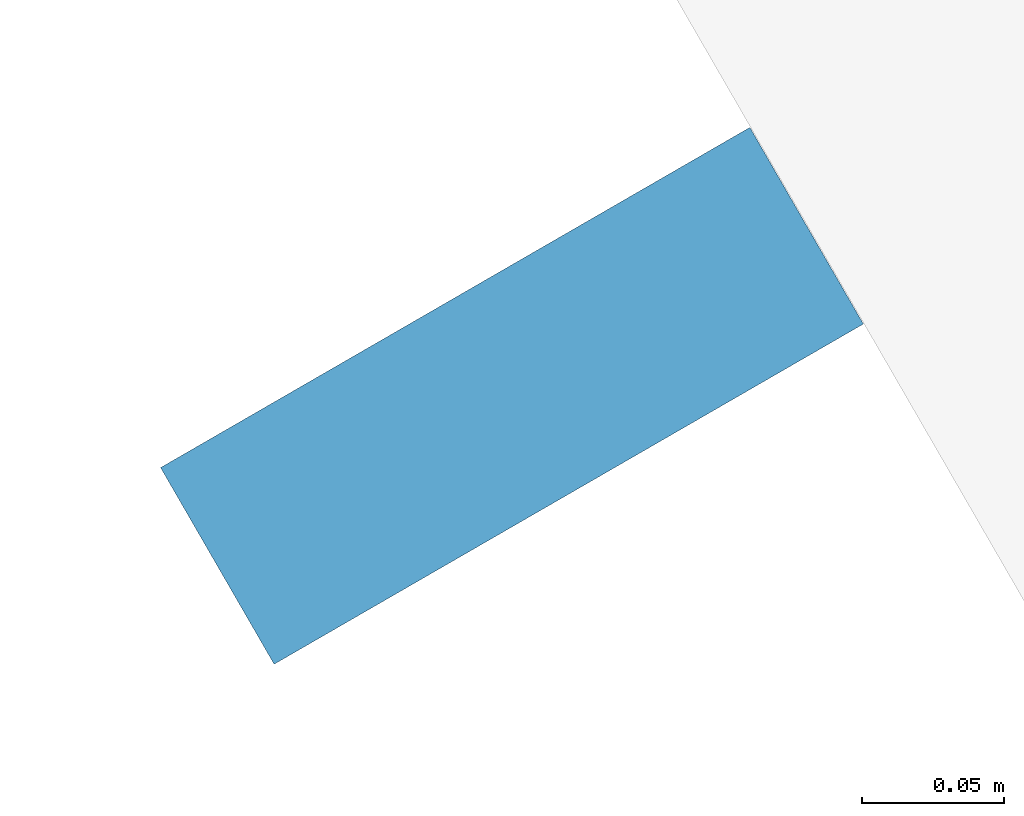
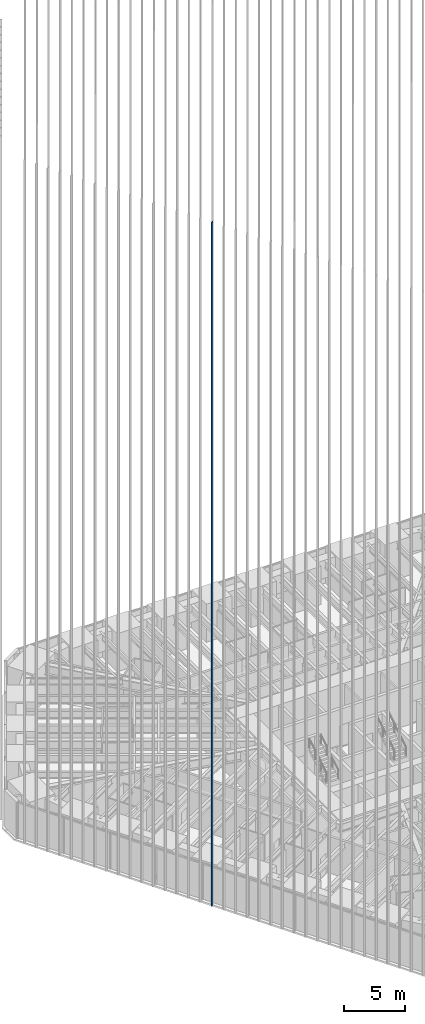
# One storey, part 50 of 256: 1 member, 1 element without a shape of its own.
"""IFC4 building model written with IfcOpenShell, lengths in metres."""

import ifcopenshell
import ifcopenshell.guid

model = None  # the IFC model being written
_history = None  # IfcOwnerHistory: only IFC2X3 demands one
_inside = {}  # id of a spatial element -> (the spatial element, [elements in it])
_under = {}  # id of a project, library or spatial element -> (it, [spatial elements below it])
_declared = {}  # id of a project -> (the project, [libraries it declares])
_typed = {}  # id of a type object -> (the type object, [elements of that type])
_made_of = {}  # id of a material, layer set ... -> (it, [elements and type objects made of it])


def new_model(schema):
    """Start an empty IFC model of exactly this schema.

    Asked for "IFC4X3", IfcOpenShell would pick the latest addendum, in which some entities
    have other attributes; the version numbers below select the first issue.
    IFC2X3 requires an IfcOwnerHistory on every rooted entity: one is made here for all.
    """
    global model, _history
    if schema == "IFC4X3":
        model = ifcopenshell.file(schema_version=(4, 3, 0, 0))
    else:
        model = ifcopenshell.file(schema=schema)
    _inside.clear()
    _under.clear()
    _declared.clear()
    _typed.clear()
    _made_of.clear()
    _history = None
    if model.schema == "IFC2X3":
        org = make("IfcOrganization", Name="unknown")
        user = make(
            "IfcPersonAndOrganization",
            ThePerson=make("IfcPerson", FamilyName="unknown"),
            TheOrganization=org,
        )
        app = make(
            "IfcApplication",
            ApplicationDeveloper=org,
            Version="unknown",
            ApplicationFullName="unknown",
            ApplicationIdentifier="unknown",
        )
        _history = make(
            "IfcOwnerHistory",
            OwningUser=user,
            OwningApplication=app,
            ChangeAction="ADDED",
            CreationDate=0,
        )
    return model


def make(cls, **values):
    """One entity of the class cls with the attributes given. An attribute that is None is left unset."""
    return model.create_entity(
        cls, **{name: value for name, value in values.items() if value is not None}
    )


def rooted(cls, **values):
    """An entity with a GlobalId (a new one), such as an element, a storey or a relation."""
    return make(cls, GlobalId=ifcopenshell.guid.new(), OwnerHistory=_history, **values)


def si_unit(unit_type, name, prefix=None):
    """IfcSIUnit, for example si_unit("LENGTHUNIT", "METRE", prefix="MILLI")."""
    return make("IfcSIUnit", UnitType=unit_type, Prefix=prefix, Name=name)


def assignment(units):
    """IfcUnitAssignment: the units of a project."""
    return None if units is None else make("IfcUnitAssignment", Units=units)


def point(xyz):
    """IfcCartesianPoint."""
    return None if xyz is None else make("IfcCartesianPoint", Coordinates=xyz)


def direction(xyz):
    """IfcDirection."""
    return None if xyz is None else make("IfcDirection", DirectionRatios=xyz)


def frame(location, z_axis=None, x_axis=None):
    """IfcAxis2Placement3D, a coordinate frame: its origin and axes. An axis left out is left unset."""
    return make(
        "IfcAxis2Placement3D",
        Location=point(location),
        Axis=direction(z_axis),
        RefDirection=direction(x_axis),
    )


def frame_2d(location, x_axis=None):
    """IfcAxis2Placement2D, a coordinate frame in the plane: its origin and x axis."""
    return make(
        "IfcAxis2Placement2D", Location=point(location), RefDirection=direction(x_axis)
    )


def origin():
    """The frame at (0, 0, 0) with its axes left unset."""
    return frame((0.0, 0.0, 0.0))


def origin_2d():
    """The frame at (0, 0) in the plane with its x axis left unset."""
    return frame_2d((0.0, 0.0))


def place(relative_to, where):
    """IfcLocalPlacement: puts the frame where relative to a parent placement (None: the world)."""
    return make(
        "IfcLocalPlacement", PlacementRelTo=relative_to, RelativePlacement=where
    )


def context(
    kind, dimensions, precision=None, world=None, true_north=None, identifier=None
):
    """IfcGeometricRepresentationContext, for example the 3D "Model" context."""
    return make(
        "IfcGeometricRepresentationContext",
        ContextIdentifier=identifier,
        ContextType=kind,
        CoordinateSpaceDimension=dimensions,
        Precision=precision,
        WorldCoordinateSystem=world,
        TrueNorth=true_north,
    )


def subcontext(parent, identifier, kind, view, scale=None):
    """IfcGeometricRepresentationSubContext, for example "Body" below "Model"."""
    return make(
        "IfcGeometricRepresentationSubContext",
        ContextIdentifier=identifier,
        ContextType=kind,
        ParentContext=parent,
        TargetScale=scale,
        TargetView=view,
    )


def project(units=None, contexts=None):
    """IfcProject with its units and contexts."""
    return rooted(
        "IfcProject",
        Name="project",
        RepresentationContexts=contexts,
        UnitsInContext=assignment(units),
    )


def spatial(cls, under=None, at=None, **own):
    """A site, building, storey or space (cls), placed at a placement, below another one or the project."""
    s = rooted(cls, ObjectPlacement=at, **own)
    if under is not None:
        _under.setdefault(under.id(), (under, []))[1].append(s)
    return s


def profile(cls, at=None, kind="AREA", **sizes):
    """A parametric profile (cls). Its sizes go by their IFC names, for example OverallWidth=200.0."""
    return make(cls, ProfileType=kind, Position=at, **sizes)


def rectangle(**sizes):
    """IfcRectangleProfileDef."""
    return profile("IfcRectangleProfileDef", **sizes)


def extrude(swept, where, along, depth):
    """IfcExtrudedAreaSolid: the profile swept, set in the frame where, extruded along a direction by depth."""
    return make(
        "IfcExtrudedAreaSolid",
        SweptArea=swept,
        Position=where,
        ExtrudedDirection=direction(along),
        Depth=depth,
    )


def shape(context_of_items, identifier, shape_type, items):
    """IfcShapeRepresentation: the items that make up one representation, for example the "Body"."""
    return make(
        "IfcShapeRepresentation",
        ContextOfItems=context_of_items,
        RepresentationIdentifier=identifier,
        RepresentationType=shape_type,
        Items=items,
    )


def material(Name=None, Category=None):
    """IfcMaterial."""
    return make("IfcMaterial", Name=Name, Category=Category)


def material_profile(
    of_material, cross_section, Name=None, Category=None, Priority=None
):
    """IfcMaterialProfile: a cross section and its material."""
    return make(
        "IfcMaterialProfile",
        Name=Name,
        Material=of_material,
        Profile=cross_section,
        Priority=Priority,
        Category=Category,
    )


def profile_set(profiles, Name=None, composite=None):
    """IfcMaterialProfileSet."""
    return make(
        "IfcMaterialProfileSet",
        Name=Name,
        MaterialProfiles=profiles,
        CompositeProfile=composite,
    )


def made_of(thing, what):
    """Note that an element or type object is made of a material, layer set ...; save() writes the relation."""
    if what is not None:
        _made_of.setdefault(what.id(), (what, []))[1].append(thing)
    return thing


def type_object(cls, material=None, **own):
    """A type object (cls), such as IfcWallType, which elements share."""
    return made_of(rooted(cls, **own), material)


def element(
    cls,
    number,
    at=None,
    inside=None,
    cuts=None,
    type_object=None,
    material=None,
    context=None,
    identifier="Body",
    shape_type=None,
    held_by="IfcProductDefinitionShape",
    body=None,
    shapes=None,
    **own,
):
    """One element of the class cls, such as IfcWall. Its Tag is "e" and its number.

    at: its placement. inside: the storey or other place that contains it. cuts: it is an
    opening in that element (IfcRelVoidsElement). A single representation is given by context,
    identifier, shape_type and body (its items); several are given by shapes. held_by: the class
    of the entity that holds the representations. save() writes the other relations.
    """
    e = rooted(cls, Tag="e%d" % number, ObjectPlacement=at, **own)
    if body is not None:
        shapes = [shape(context, identifier, shape_type, body)]
    if shapes is not None:
        e.Representation = make(held_by, Representations=shapes)
    if inside is not None:
        _inside.setdefault(inside.id(), (inside, []))[1].append(e)
    if cuts is not None:
        rooted(
            "IfcRelVoidsElement", RelatingBuildingElement=cuts, RelatedOpeningElement=e
        )
    if type_object is not None:
        _typed.setdefault(type_object.id(), (type_object, []))[1].append(e)
    return made_of(e, material)


def aggregate(whole, parts):
    """IfcRelAggregates: a whole, such as a stair, and the parts it consists of."""
    return rooted("IfcRelAggregates", RelatingObject=whole, RelatedObjects=parts)


def save(model, path):
    """Write the relations noted so far, then the file.

    IfcRelAggregates (storeys below a building ...), IfcRelContainedInSpatialStructure (elements
    in a storey), IfcRelDefinesByType, IfcRelAssociatesMaterial and IfcRelDeclares: one each for
    every whole, place, type object, material and project.
    """
    for whole, parts in _under.values():
        aggregate(whole, parts)
    for where, things in _inside.values():
        rooted(
            "IfcRelContainedInSpatialStructure",
            RelatedElements=things,
            RelatingStructure=where,
        )
    for kind, things in _typed.values():
        rooted("IfcRelDefinesByType", RelatedObjects=things, RelatingType=kind)
    for what, things in _made_of.values():
        rooted("IfcRelAssociatesMaterial", RelatedObjects=things, RelatingMaterial=what)
    for by, libraries in _declared.values():
        rooted("IfcRelDeclares", RelatingContext=by, RelatedDefinitions=libraries)
    model.write(path)


model = new_model("IFC4")

# Units and contexts
model_context = context("Model", 3, precision=1e-05, world=origin(), true_north=direction((0.0, 1.0)))
body_context = subcontext(model_context, "Body", "Model", "MODEL_VIEW")
ifc_project = project(units=[si_unit("LENGTHUNIT", "METRE"), si_unit("AREAUNIT", "SQUARE_METRE"), si_unit("VOLUMEUNIT", "CUBIC_METRE"), si_unit("PLANEANGLEUNIT", "RADIAN"), si_unit("MASSUNIT", "GRAM", prefix="KILO")], contexts=[model_context])

# Site, building, storey
site_placement = place(None, origin())
site = spatial("IfcSite", under=ifc_project, at=site_placement, CompositionType="ELEMENT")
building_placement = place(site_placement, origin())
building = spatial("IfcBuilding", under=site, at=building_placement, Name="Sandreach Pilgrim Tower", CompositionType="ELEMENT")
storey_placement = place(building_placement, frame((0.0, 0.0, 23.0)))
storey = spatial("IfcBuildingStorey", under=building, at=storey_placement, Name="L04", CompositionType="ELEMENT", Elevation=23.0)

# Curtain wall, member
ifc_material_1 = material(Name="Aluminium framed curtain wall", Category="aluminium")
curtain_wall_type = type_object("IfcCurtainWallType", Name="Hostel tower curtain wall", PredefinedType="NOTDEFINED", material=ifc_material_1)
curtain_wall_placement = place(storey_placement, origin())
curtain_wall = element("IfcCurtainWall", 1, at=curtain_wall_placement, inside=storey, type_object=curtain_wall_type, Name="CW-1 L04 SW", PredefinedType="NOTDEFINED")
ifc_material_2 = material(Name="Extruded terracotta on aluminium core", Category="masonry")
ifc_material_profile = material_profile(ifc_material_2, rectangle(XDim=0.080078125, YDim=0.239990234375, at=origin_2d()), Name="TBW 80X240")
ifc_profile_set = profile_set([ifc_material_profile], Name="Extruded terracotta on aluminium core")
member_type = type_object("IfcMemberType", Name="Terracotta baguette west", PredefinedType="USERDEFINED", material=ifc_profile_set)
member_placement = place(storey_placement, frame((-21.6572265625, -11.226318359375, 0.0), z_axis=(0.0, 0.0, 1.0), x_axis=(-0.5, 0.866025403784, 0.0)))
member = element("IfcMember", 2, at=member_placement, type_object=member_type, Name="Baguette Z1 SW19", ObjectType="BAGUETTE", PredefinedType="USERDEFINED", context=body_context, shape_type="SweptSolid", body=[
    extrude(rectangle(XDim=0.080078125, YDim=0.239990234375, at=origin_2d()), origin(), (0.0, 0.0, 1.0), 68.239990234375),
])
aggregate(curtain_wall, [member])

save(model, "model.ifc")
